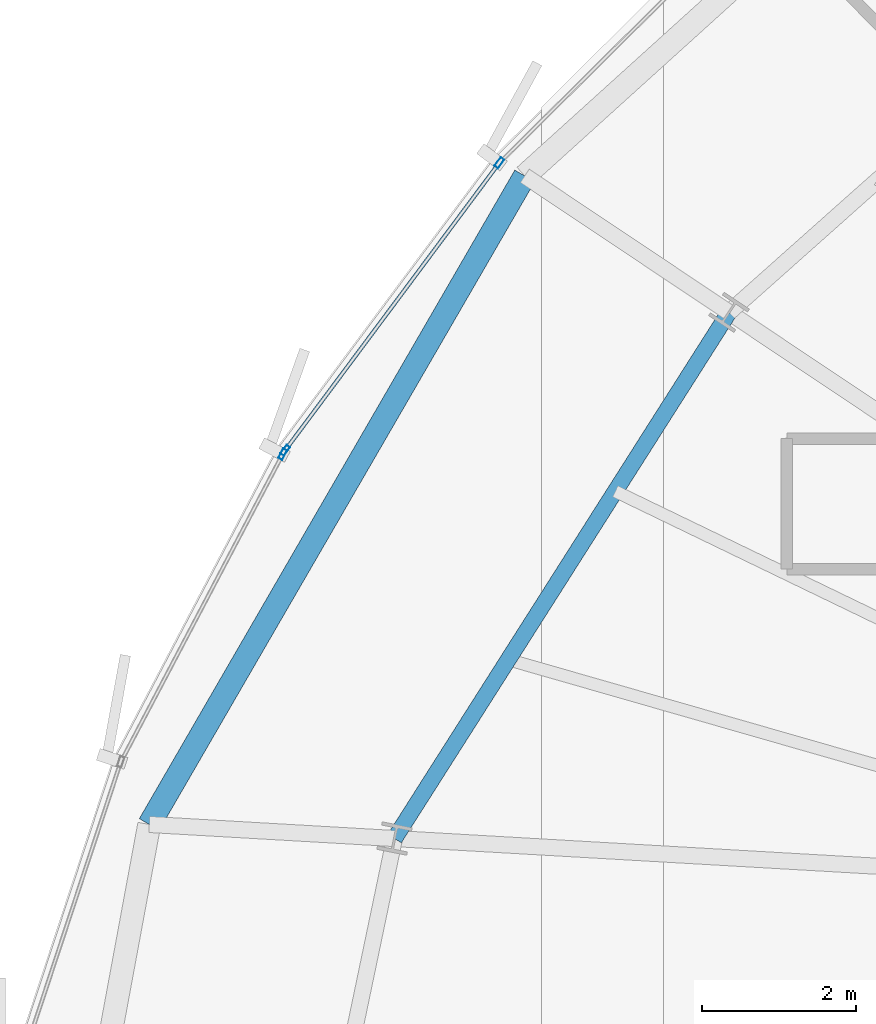
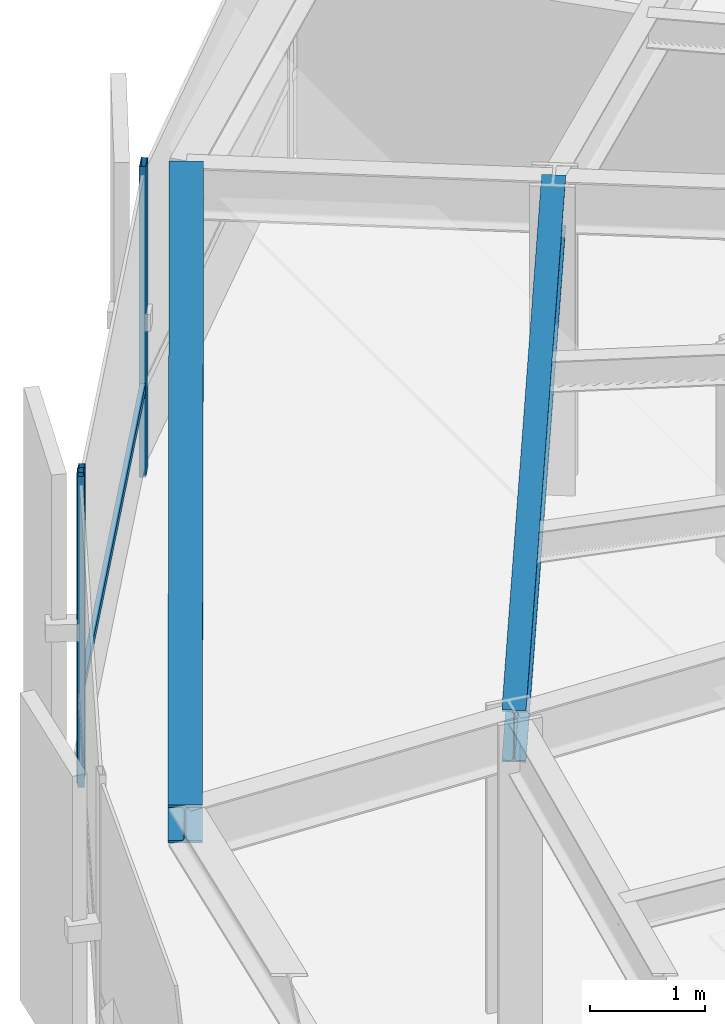
# One storey, part 20 of 36: 4 members, 2 beams, 2 elements without a shape of their own.
"""IFC4 building model written with IfcOpenShell, lengths in metres."""

from ifc_helpers import new_model, si_unit, direction, frame, origin, origin_2d, place, context, subcontext, project, spatial, hollow_rectangle, i_section, extrude, source, transform, mapped, material, layer, layer_set, material_profile, profile_set, type_object, element, aggregate, save


model = new_model("IFC4")

# Units and contexts
model_context = context("Model", 3, precision=1e-05, world=origin(), true_north=direction((0.0, 1.0)))
body_context = subcontext(model_context, "Body", "Model", "MODEL_VIEW")
ifc_project = project(units=[si_unit("LENGTHUNIT", "METRE"), si_unit("AREAUNIT", "SQUARE_METRE"), si_unit("VOLUMEUNIT", "CUBIC_METRE"), si_unit("PLANEANGLEUNIT", "RADIAN"), si_unit("MASSUNIT", "GRAM", prefix="KILO"), si_unit("THERMODYNAMICTEMPERATUREUNIT", "KELVIN")], contexts=[model_context])

# Site, building, storey
site_placement = place(None, origin())
site = spatial("IfcSite", under=ifc_project, at=site_placement, CompositionType="ELEMENT")
building_placement = place(site_placement, origin())
building = spatial("IfcBuilding", under=site, at=building_placement, Name="Kethvar Cultural Tower", CompositionType="ELEMENT")
storey_placement = place(building_placement, frame((0.0, 0.0, 164.300048828125)))
storey = spatial("IfcBuildingStorey", under=building, at=storey_placement, Name="L42", CompositionType="ELEMENT", Elevation=164.300048828125)

# Beams
ifc_material_1 = material(Name="Steel S355J2", Category="steel")
ifc_material_profile_1 = material_profile(ifc_material_1, i_section(OverallWidth=0.2099609375, OverallDepth=0.550048828125, WebThickness=0.010986328125, FlangeThickness=0.01708984375, FilletRadius=0.02392578125, at=origin_2d()), Name="Steel S355J2 — IPE550")
ifc_profile_set_1 = profile_set([ifc_material_profile_1], Name="Steel S355J2 — IPE550")
beam_type_1 = type_object("IfcBeamType", Name="BM-IPE550", PredefinedType="BEAM", material=ifc_profile_set_1)
shared_shape_1 = source(origin(), body_context, "Body", "SweptSolid", [
    extrude(i_section(OverallWidth=0.2099609375, OverallDepth=0.550048828125, WebThickness=0.010986328125, FlangeThickness=0.01708984375, FilletRadius=0.02392578125, at=origin_2d()), origin(), (0.0, 0.0, 1.0), 8.122314453125),
])
beam_1_placement = place(storey_placement, frame((30.345947265625, 38.794189453125, 3.02294921875), z_axis=(-0.536478664647, -0.843913883272, 0.0), x_axis=(0.843913883272, -0.536478664647, 0.0)))
element("IfcBeam", 1, at=beam_1_placement, inside=storey, type_object=beam_type_1, Name="L42 Column Ring Tie Beam CR-07", PredefinedType="BEAM", context=body_context, shape_type="MappedRepresentation", body=[
    mapped(shared_shape_1, transform((0.0, 0.0, 0.0), scale=1.0)),
])
ifc_material_profile_2 = material_profile(ifc_material_1, i_section(OverallWidth=0.300048828125, OverallDepth=0.39990234375, WebThickness=0.013427734375, FlangeThickness=0.02392578125, FilletRadius=0.027099609375, at=origin_2d()), Name="Steel S355J2 — HEB400")
ifc_profile_set_2 = profile_set([ifc_material_profile_2], Name="Steel S355J2 — HEB400")
beam_type_2 = type_object("IfcBeamType", Name="BM-SP400", PredefinedType="SPANDREL", material=ifc_profile_set_2)
shared_shape_2 = source(origin(), body_context, "Body", "SweptSolid", [
    extrude(i_section(OverallWidth=0.300048828125, OverallDepth=0.39990234375, WebThickness=0.013427734375, FlangeThickness=0.02392578125, FilletRadius=0.027099609375, at=origin_2d()), origin(), (0.0, 0.0, 1.0), 9.762939453125),
])
beam_2_placement = place(storey_placement, frame((27.685302734375, 40.572021484375, 3.097900390625), z_axis=(-0.501043170838, -0.865422290536, 0.0), x_axis=(0.865422290536, -0.501043170838, 0.0)))
element("IfcBeam", 2, at=beam_2_placement, inside=storey, type_object=beam_type_2, Name="L42 Perimeter Spandrel Beam SP-07", PredefinedType="SPANDREL", context=body_context, shape_type="MappedRepresentation", body=[
    mapped(shared_shape_2, transform((0.0, 0.0, 0.0), scale=1.0)),
])

# Curtain wall, members
ifc_material_2 = material(Name="Aluminium 6063-T6", Category="aluminium")
ifc_layer = layer(ifc_material_2, 0.179931640625, Name="Aluminium 6063-T6", Category="aluminium")
ifc_layer_set = layer_set([ifc_layer], Name="Aluminium 6063-T6 (180 mm)")
curtain_wall_type = type_object("IfcCurtainWallType", Name="CW-SYS-04-Z34", PredefinedType="NOTDEFINED", material=ifc_layer_set)
curtain_wall_1_placement = place(storey_placement, origin())
curtain_wall_1 = element("IfcCurtainWall", 3, at=curtain_wall_1_placement, inside=storey, type_object=curtain_wall_type, Name="L42 Curtain Wall Run 02", PredefinedType="NOTDEFINED")
ifc_material_profile_3 = material_profile(ifc_material_2, hollow_rectangle(XDim=0.06005859375, YDim=0.139892578125, WallThickness=0.0048828125, at=origin_2d()), Name="Aluminium 6063-T6 — RHS140x60x5")
ifc_profile_set_3 = profile_set([ifc_material_profile_3], Name="Aluminium 6063-T6 — RHS140x60x5")
member_type_1 = type_object("IfcMemberType", Name="CW-SYS-04-Z34-MUL", PredefinedType="MULLION", material=ifc_profile_set_3)
shared_shape_3 = source(origin(), body_context, "Body", "SweptSolid", [
    extrude(hollow_rectangle(XDim=0.06005859375, YDim=0.139892578125, WallThickness=0.0048828125, at=origin_2d()), origin(), (0.0, 0.0, 1.0), 3.300048828125),
])
member_1_placement = place(storey_placement, frame((27.353759765625, 40.7421875, 0.0), z_axis=(0.0, 0.0, 1.0), x_axis=(0.801973780159, -0.597359235249, 0.0)))
member_1 = element("IfcMember", 4, at=member_1_placement, type_object=member_type_1, Name="CW-L42-R02 Mullion 6", PredefinedType="MULLION", context=body_context, shape_type="MappedRepresentation", body=[
    mapped(shared_shape_3, transform((0.0, 0.0, 0.0), scale=1.0)),
])
member_2_placement = place(storey_placement, frame((24.56396484375, 36.99658203125, 0.0), z_axis=(0.0, 0.0, 1.0), x_axis=(0.801973780159, -0.597359235249, 0.0)))
member_2 = element("IfcMember", 5, at=member_2_placement, type_object=member_type_1, Name="CW-L42-R02 Mullion 7", PredefinedType="MULLION", context=body_context, shape_type="MappedRepresentation", body=[
    mapped(shared_shape_3, transform((0.0, 0.0, 0.0), scale=1.0)),
])

# Curtain wall, member
curtain_wall_2_placement = place(storey_placement, origin())
curtain_wall_2 = element("IfcCurtainWall", 6, at=curtain_wall_2_placement, inside=storey, type_object=curtain_wall_type, Name="L42 Curtain Wall Run 03", PredefinedType="NOTDEFINED")
member_3_placement = place(storey_placement, frame((24.531494140625, 36.9453125, 0.0), z_axis=(0.0, 0.0, 1.0), x_axis=(0.885044516403, -0.465506395214, 0.0)))
member_3 = element("IfcMember", 7, at=member_3_placement, type_object=member_type_1, Name="CW-L42-R03 Mullion 1", PredefinedType="MULLION", context=body_context, shape_type="MappedRepresentation", body=[
    mapped(shared_shape_3, transform((0.0, 0.0, 0.0), scale=1.0)),
])
aggregate(curtain_wall_2, [member_3])

# Member
ifc_material_profile_4 = material_profile(ifc_material_2, hollow_rectangle(XDim=0.050048828125, YDim=0.10009765625, WallThickness=0.00390625, at=origin_2d()), Name="Aluminium 6063-T6 — RHS100x50x4")
ifc_profile_set_4 = profile_set([ifc_material_profile_4], Name="Aluminium 6063-T6 — RHS100x50x4")
member_type_2 = type_object("IfcMemberType", Name="CW-SYS-04-Z34-TRN", PredefinedType="USERDEFINED", material=ifc_profile_set_4)
shared_shape_4 = source(origin(), body_context, "Body", "SweptSolid", [
    extrude(hollow_rectangle(XDim=0.050048828125, YDim=0.10009765625, WallThickness=0.00390625, at=origin_2d()), origin(), (0.0, 0.0, 1.0), 4.623046875),
])
member_4_placement = place(storey_placement, frame((27.327880859375, 40.70751953125, 0.949951171875), z_axis=(-0.597343483276, -0.801985512954, 0.0), x_axis=(0.801985512954, -0.597343483276, 0.0)))
member_4 = element("IfcMember", 8, at=member_4_placement, type_object=member_type_2, Name="CW-L42-R02 Transom 6", ObjectType="TRANSOM", PredefinedType="USERDEFINED", context=body_context, shape_type="MappedRepresentation", body=[
    mapped(shared_shape_4, transform((0.0, 0.0, 0.0), scale=1.0)),
])

aggregate(curtain_wall_1, [member_1, member_2, member_4])

save(model, "model.ifc")
